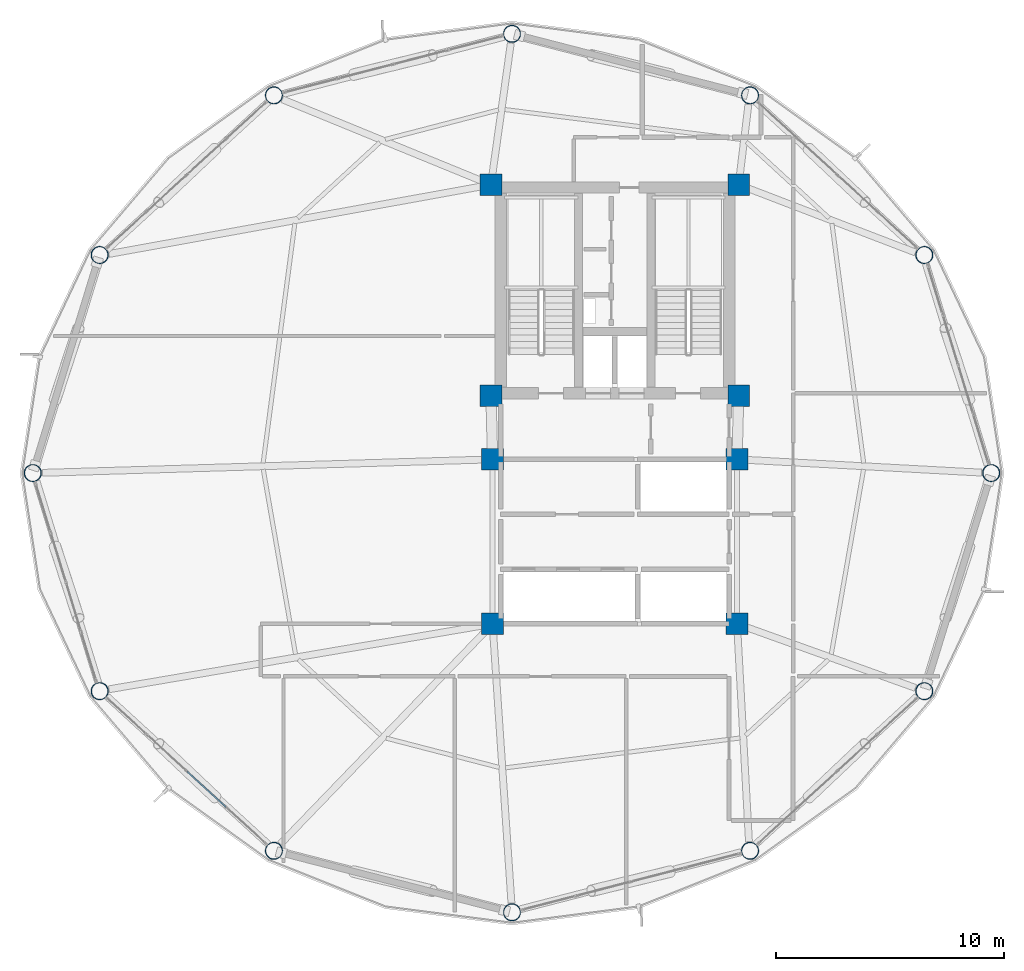
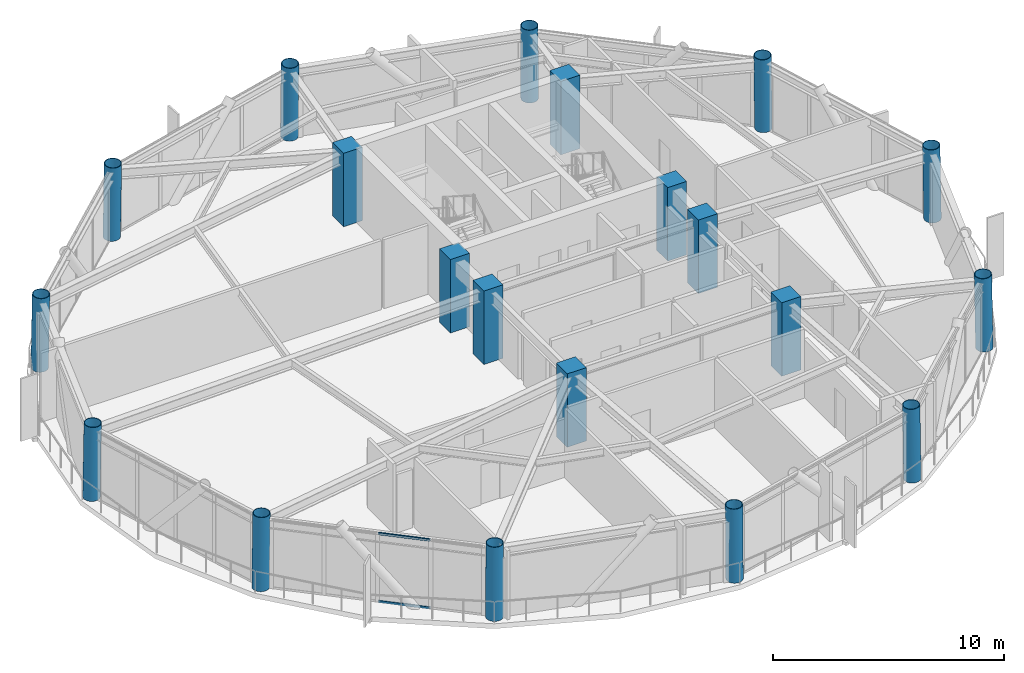
# One storey, part 1 of 26: 20 columns, 2 members, 1 element without a shape of its own.
"""IFC4 building model written with IfcOpenShell, lengths in metres."""

from ifc_helpers import new_model, si_unit, direction, frame, origin, origin_2d, place, context, subcontext, project, spatial, rectangle, hollow_rectangle, hollow_circle, extrude, material, layer, layer_set, material_profile, profile_set, type_object, element, aggregate, save


model = new_model("IFC4")

# Units and contexts
model_context = context("Model", 3, precision=1e-05, world=origin(), true_north=direction((0.0, 1.0)))
body_context = subcontext(model_context, "Body", "Model", "MODEL_VIEW")
ifc_project = project(units=[si_unit("LENGTHUNIT", "METRE"), si_unit("AREAUNIT", "SQUARE_METRE"), si_unit("VOLUMEUNIT", "CUBIC_METRE"), si_unit("PLANEANGLEUNIT", "RADIAN"), si_unit("MASSUNIT", "GRAM", prefix="KILO")], contexts=[model_context])

# Site, building, storey
site_placement = place(None, origin())
site = spatial("IfcSite", under=ifc_project, at=site_placement, CompositionType="ELEMENT")
building_placement = place(site_placement, origin())
building = spatial("IfcBuilding", under=site, at=building_placement, Name="Varnakorn Sky Granary", CompositionType="ELEMENT")
storey_placement = place(building_placement, frame((0.0, 0.0, 138.300048828125)))
storey = spatial("IfcBuildingStorey", under=building, at=storey_placement, Name="L34", CompositionType="ELEMENT", Elevation=138.300048828125)

# Columns
ifc_material_1 = material(Name="Steel S460M", Category="steel")
ifc_material_profile_1 = material_profile(ifc_material_1, hollow_circle(Radius=0.381103515625, WallThickness=0.028076171875, at=origin_2d()), Name="CHS 762x28")
ifc_profile_set_1 = profile_set([ifc_material_profile_1], Name="Steel S460M")
column_type_1 = type_object("IfcColumnType", Name="COL-DC-Z3", PredefinedType="COLUMN", material=ifc_profile_set_1)
for number, where, z_axis, x_axis, name in (
    (1, (19.48291015625, 0.0, 0.0), (-0.017008627934, 0.0, 0.999855342825), (0.0, -1.0, 0.0), "Drum Perimeter Column DC01 L34"),
    (2, (16.554931640625, 9.548095703125, 0.0), (-0.014741054901, -0.006236600151, 0.999871894854), (0.389639990837, -0.920967251069, 0.0), "Drum Perimeter Column DC02 L34"),
):
    element("IfcColumn", number, at=place(storey_placement, frame(where, z_axis=z_axis, x_axis=x_axis)), inside=storey, type_object=column_type_1, Name=name, PredefinedType="COLUMN", context=body_context, shape_type="SweptSolid", body=[
        extrude(hollow_circle(Radius=0.381103515625, WallThickness=0.028076171875, at=origin_2d()), origin(), (0.0, 0.0, 1.0), 3.87548828125),
    ])
for number, where, z_axis, x_axis, name in (
    (3, (8.924072265625, 16.53759765625, 0.0), (-0.00850474893, -0.010709683838, 0.999906481586), (0.783110847498, -0.621882143602, 0.0), "Drum Perimeter Column DC03 L34"),
    (4, (-1.5, 19.23095703125, 0.0), (0.0, -0.012347848881, 0.999923762408), (1.0, 0.0, 0.0), "Drum Perimeter Column DC04 L34"),
    (5, (-11.924072265625, 16.53759765625, 0.0), (0.00850474893, -0.010709683838, 0.999906481586), (0.783110847498, 0.621882143602, 0.0), "Drum Perimeter Column DC05 L34"),
):
    element("IfcColumn", number, at=place(storey_placement, frame(where, z_axis=z_axis, x_axis=x_axis)), inside=storey, type_object=column_type_1, Name=name, PredefinedType="COLUMN", context=body_context, shape_type="SweptSolid", body=[
        extrude(hollow_circle(Radius=0.381103515625, WallThickness=0.028076171875, at=origin_2d()), origin(), (0.0, 0.0, 1.0), 3.875244140625),
    ])
for number, where, z_axis, x_axis, name in (
    (6, (-19.554931640625, 9.548095703125, 0.0), (0.014741054901, -0.006236600151, 0.999871894854), (0.389639990837, 0.920967251069, 0.0), "Drum Perimeter Column DC06 L34"),
    (7, (-22.48291015625, 0.0, 0.0), (0.017008627934, 0.0, 0.999855342825), (0.0, 1.0, 0.0), "Drum Perimeter Column DC07 L34"),
    (8, (-19.554931640625, -9.548095703125, 0.0), (0.014741054901, 0.006236600151, 0.999871894854), (-0.389639990837, 0.920967251069, 0.0), "Drum Perimeter Column DC08 L34"),
):
    element("IfcColumn", number, at=place(storey_placement, frame(where, z_axis=z_axis, x_axis=x_axis)), inside=storey, type_object=column_type_1, Name=name, PredefinedType="COLUMN", context=body_context, shape_type="SweptSolid", body=[
        extrude(hollow_circle(Radius=0.381103515625, WallThickness=0.028076171875, at=origin_2d()), origin(), (0.0, 0.0, 1.0), 3.87548828125),
    ])
for number, where, z_axis, x_axis, name in (
    (9, (-11.924072265625, -16.53759765625, 0.0), (0.00850474893, 0.010709683838, 0.999906481586), (-0.783110847498, 0.621882143602, 0.0), "Drum Perimeter Column DC09 L34"),
    (10, (-1.5, -19.23095703125, 0.0), (0.0, 0.012347848881, 0.999923762408), (-1.0, 0.0, 0.0), "Drum Perimeter Column DC10 L34"),
    (11, (8.924072265625, -16.53759765625, 0.0), (-0.00850474893, 0.010709683838, 0.999906481586), (-0.783110847498, -0.621882143602, 0.0), "Drum Perimeter Column DC11 L34"),
):
    element("IfcColumn", number, at=place(storey_placement, frame(where, z_axis=z_axis, x_axis=x_axis)), inside=storey, type_object=column_type_1, Name=name, PredefinedType="COLUMN", context=body_context, shape_type="SweptSolid", body=[
        extrude(hollow_circle(Radius=0.381103515625, WallThickness=0.028076171875, at=origin_2d()), origin(), (0.0, 0.0, 1.0), 3.875244140625),
    ])
column_placement = place(storey_placement, frame((16.554931640625, -9.548095703125, 0.0), z_axis=(-0.014741054901, 0.006236600151, 0.999871894854), x_axis=(-0.389639990837, -0.920967251069, 0.0)))
element("IfcColumn", 12, at=column_placement, inside=storey, type_object=column_type_1, Name="Drum Perimeter Column DC12 L34", PredefinedType="COLUMN", context=body_context, shape_type="SweptSolid", body=[
    extrude(hollow_circle(Radius=0.381103515625, WallThickness=0.028076171875, at=origin_2d()), origin(), (0.0, 0.0, 1.0), 3.87548828125),
])
ifc_material_2 = material(Name="Concrete C50/60", Category="concrete")
ifc_material_profile_2 = material_profile(ifc_material_2, rectangle(XDim=0.949951171875, YDim=0.949951171875, at=origin_2d()), Name="RC 950x950")
ifc_profile_set_2 = profile_set([ifc_material_profile_2], Name="Concrete C50/60")
column_type_2 = type_object("IfcColumnType", Name="COL-MC-Z3", PredefinedType="COLUMN", material=ifc_profile_set_2)
for number, where, z_axis, x_axis, name in (
    (13, (-2.419921875, 12.6201171875, 0.0), (0.0, 0.0, 1.0), (1.0, 0.0, 0.0), "Backbone Mega-Column MC1 L34"),
    (14, (8.419921875, 12.6201171875, 0.0), (0.0, 0.0, 1.0), (1.0, 0.0, 0.0), "Backbone Mega-Column MC2 L34"),
    (15, (-2.419921875, 3.3798828125, 0.0), (0.0, 0.0, 1.0), (1.0, 0.0, 0.0), "Backbone Mega-Column MC3 L34"),
    (16, (8.419921875, 3.3798828125, 0.0), (0.0, 0.0, 1.0), (1.0, 0.0, 0.0), "Backbone Mega-Column MC4 L34"),
    (17, (-2.35009765625, 0.60009765625, 0.0), (0.0, 0.0, 1.0), (1.0, 0.0, 0.0), "Backbone Mega-Column MC5 L34"),
    (18, (8.35009765625, 0.60009765625, 0.0), (0.0, 0.0, 1.0), (1.0, 0.0, 0.0), "Backbone Mega-Column MC6 L34"),
    (19, (-2.35009765625, -6.60009765625, 0.0), (0.0, 0.0, 1.0), (1.0, 0.0, 0.0), "Backbone Mega-Column MC7 L34"),
    (20, (8.35009765625, -6.60009765625, 0.0), (0.0, 0.0, 1.0), (1.0, 0.0, 0.0), "Backbone Mega-Column MC8 L34"),
):
    element("IfcColumn", number, at=place(storey_placement, frame(where, z_axis=z_axis, x_axis=x_axis)), inside=storey, type_object=column_type_2, Name=name, PredefinedType="COLUMN", context=body_context, shape_type="SweptSolid", body=[
        extrude(rectangle(XDim=0.949951171875, YDim=0.949951171875, at=origin_2d()), origin(), (0.0, 0.0, 1.0), 3.875),
    ])

# Curtain wall, members
ifc_material_3 = material(Name="Anodised Bronze Aluminium Alloy 6063-T6", Category="aluminium")
ifc_layer = layer(ifc_material_3, 0.179931640625, Name="Anodised Bronze Aluminium Alloy 6063-T6")
ifc_layer_set = layer_set([ifc_layer], Name="Anodised Bronze Aluminium Alloy 6063-T6")
curtain_wall_type = type_object("IfcCurtainWallType", Name="CW-FRM-2", PredefinedType="USERDEFINED", material=ifc_layer_set)
curtain_wall_placement = place(storey_placement, origin())
curtain_wall = element("IfcCurtainWall", 21, at=curtain_wall_placement, inside=storey, type_object=curtain_wall_type, Name="Unitised Curtain Wall CW4 CW-L34-B08", ObjectType="CURTAIN WALL", PredefinedType="USERDEFINED")
ifc_material_profile_3 = material_profile(ifc_material_3, hollow_rectangle(XDim=0.06494140625, YDim=0.1201171875, WallThickness=0.00341796875, at=origin_2d()), Name="ALU TRAN 65x120")
ifc_profile_set_3 = profile_set([ifc_material_profile_3], Name="Anodised Bronze Aluminium Alloy 6063-T6")
member_type = type_object("IfcMemberType", Name="CW-FRM-2-TRAN", PredefinedType="USERDEFINED", material=ifc_profile_set_3)
member_1_placement = place(storey_placement, frame((-14.02001953125, -14.61767578125, 0.032470703125), z_axis=(-0.737414424206, 0.675440572496, 0.0), x_axis=(-0.675440572496, -0.737414424206, 0.0)))
member_1 = element("IfcMember", 22, at=member_1_placement, type_object=member_type, Name="CW4 transom 2.1", ObjectType="TRANSOM", PredefinedType="USERDEFINED", context=body_context, shape_type="SweptSolid", body=[
    extrude(hollow_rectangle(XDim=0.06494140625, YDim=0.1201171875, WallThickness=0.00341796875, at=origin_2d()), origin(), (0.0, 0.0, 1.0), 2.296630859375),
])
member_2_placement = place(storey_placement, frame((-14.02001953125, -14.61767578125, 3.607421875), z_axis=(-0.737414424206, 0.675440572496, 0.0), x_axis=(-0.675440572496, -0.737414424206, 0.0)))
member_2 = element("IfcMember", 23, at=member_2_placement, type_object=member_type, Name="CW4 transom 2.2", ObjectType="TRANSOM", PredefinedType="USERDEFINED", context=body_context, shape_type="SweptSolid", body=[
    extrude(hollow_rectangle(XDim=0.06494140625, YDim=0.1201171875, WallThickness=0.00341796875, at=origin_2d()), origin(), (0.0, 0.0, 1.0), 2.296630859375),
])
aggregate(curtain_wall, [member_1, member_2])

save(model, "model.ifc")
